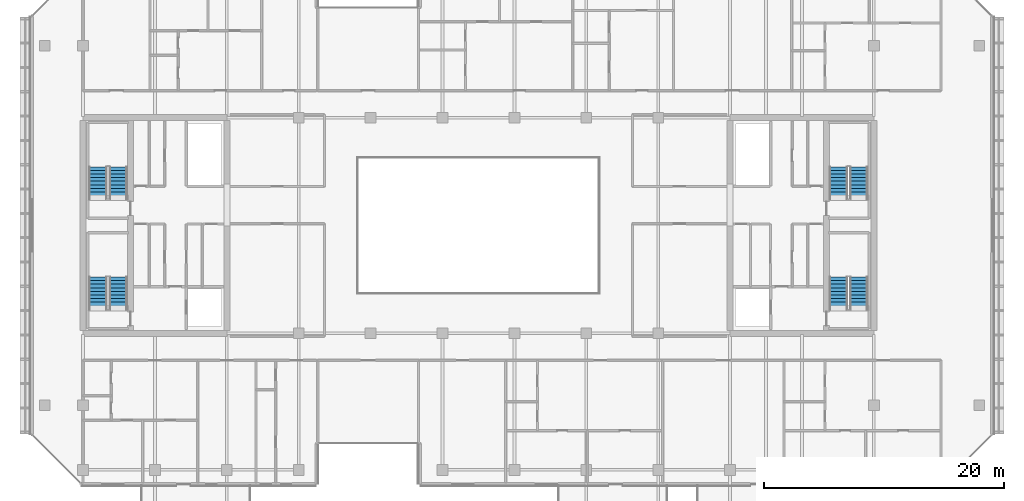
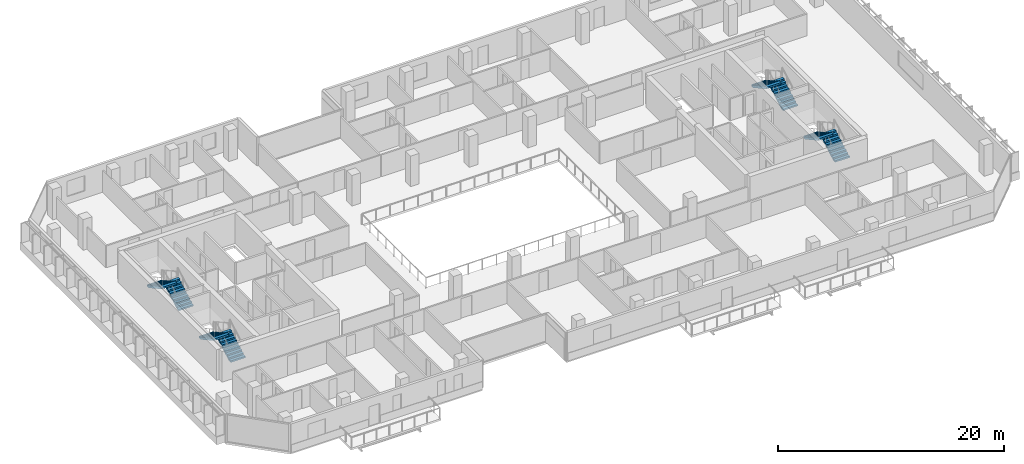
# One storey, part 25 of 29: 8 stair flights, 4 elements without a shape of their own.
"""IFC4 building model written with IfcOpenShell, lengths in metres."""

from ifc_helpers import new_model, si_unit, direction, frame, origin, place, context, subcontext, project, spatial, polyline, outline, extrude, material, type_object, element, aggregate, save


model = new_model("IFC4")

# Units and contexts
model_context = context("Model", 3, precision=1e-05, world=origin(), true_north=direction((0.0, 1.0)))
body_context = subcontext(model_context, "Body", "Model", "MODEL_VIEW")
ifc_project = project(units=[si_unit("LENGTHUNIT", "METRE"), si_unit("AREAUNIT", "SQUARE_METRE"), si_unit("VOLUMEUNIT", "CUBIC_METRE"), si_unit("PLANEANGLEUNIT", "RADIAN"), si_unit("MASSUNIT", "GRAM", prefix="KILO")], contexts=[model_context])

# Site, building, storey
site_placement = place(None, origin())
site = spatial("IfcSite", under=ifc_project, at=site_placement, CompositionType="ELEMENT")
building_placement = place(site_placement, origin())
building = spatial("IfcBuilding", under=site, at=building_placement, Name="Tanjung Sevakor Pilgrim Tower", CompositionType="ELEMENT")
storey_placement = place(building_placement, frame((0.0, 0.0, 148.5)))
storey = spatial("IfcBuildingStorey", under=building, at=storey_placement, Name="L41", CompositionType="ELEMENT", Elevation=148.5)

# Stair, stair flights
ifc_material_1 = material(Name="Concrete C40/50", Category="concrete")
stair_type = type_object("IfcStairType", Name="STAIR-ST-CR150", PredefinedType="HALF_TURN_STAIR", material=ifc_material_1)
stair_1_placement = place(storey_placement, origin())
stair_1 = element("IfcStair", 1, at=stair_1_placement, inside=storey, type_object=stair_type, Name="L41 West Core Exit Stair 1", PredefinedType="HALF_TURN_STAIR")
ifc_material_2 = material(Name="Concrete C40/50", Category="concrete")
stair_flight_type = type_object("IfcStairFlightType", Name="FLIGHT-ST-CR150", PredefinedType="STRAIGHT", material=ifc_material_2)
stair_flight_1_placement = place(storey_placement, frame((26.949951171875, 26.60009765625, 0.0), z_axis=(0.0, 0.0, 1.0), x_axis=(0.0, 1.0, 0.0)))
stair_flight_1 = element("IfcStairFlight", 2, at=stair_flight_1_placement, type_object=stair_flight_type, Name="TS-W1 flight 1", NumberOfRisers=10, NumberOfTreads=9, PredefinedType="STRAIGHT", RiserHeight=0.165, TreadLength=0.3, context=body_context, shape_type="SweptSolid", body=[
    extrude(outline(polyline([(0.0, 0.0), (0.0, 0.1650390625), (0.300048828125, 0.1650390625), (0.300048828125, 0.330078125), (0.60009765625, 0.330078125), (0.60009765625, 0.4951171875), (0.89990234375, 0.4951171875), (0.89990234375, 0.659912109375), (1.199951171875, 0.659912109375), (1.199951171875, 0.824951171875), (1.5, 0.824951171875), (1.5, 0.989990234375), (1.800048828125, 0.989990234375), (1.800048828125, 1.155029296875), (2.10009765625, 1.155029296875), (2.10009765625, 1.320068359375), (2.39990234375, 1.320068359375), (2.39990234375, 1.485107421875), (2.699951171875, 1.485107421875), (2.699951171875, 1.64990234375), (2.699951171875, 1.302490234375), (0.331787109375, 0.0), (0.0, 0.0)])), frame((0.0, 0.75, 0.0), z_axis=(0.0, -1.0, 0.0), x_axis=(1.0, 0.0, 0.0)), (0.0, 0.0, 1.0), 1.5),
])
stair_flight_2_placement = place(storey_placement, frame((25.25, 29.300048828125, 1.64990234375), z_axis=(0.0, 0.0, 1.0), x_axis=(0.0, -1.0, 0.0)))
stair_flight_2 = element("IfcStairFlight", 3, at=stair_flight_2_placement, type_object=stair_flight_type, Name="TS-W1 flight 2", NumberOfRisers=10, NumberOfTreads=9, PredefinedType="STRAIGHT", RiserHeight=0.165, TreadLength=0.3, context=body_context, shape_type="SweptSolid", body=[
    extrude(outline(polyline([(0.0, 0.0), (0.0, 0.1650390625), (0.300048828125, 0.1650390625), (0.300048828125, 0.330078125), (0.60009765625, 0.330078125), (0.60009765625, 0.4951171875), (0.89990234375, 0.4951171875), (0.89990234375, 0.659912109375), (1.199951171875, 0.659912109375), (1.199951171875, 0.824951171875), (1.5, 0.824951171875), (1.5, 0.989990234375), (1.800048828125, 0.989990234375), (1.800048828125, 1.155029296875), (2.10009765625, 1.155029296875), (2.10009765625, 1.320068359375), (2.39990234375, 1.320068359375), (2.39990234375, 1.485107421875), (2.699951171875, 1.485107421875), (2.699951171875, 1.64990234375), (2.699951171875, 1.302490234375), (0.331787109375, 0.0), (0.0, 0.0)])), frame((0.0, 0.75, 0.0), z_axis=(0.0, -1.0, 0.0), x_axis=(1.0, 0.0, 0.0)), (0.0, 0.0, 1.0), 1.5),
])
aggregate(stair_1, [stair_flight_1, stair_flight_2])

stair_2_placement = place(storey_placement, origin())
stair_2 = element("IfcStair", 4, at=stair_2_placement, inside=storey, type_object=stair_type, Name="L41 West Core Exit Stair 2", PredefinedType="HALF_TURN_STAIR")
stair_flight_3_placement = place(storey_placement, frame((26.949951171875, 35.800048828125, 0.0), z_axis=(0.0, 0.0, 1.0), x_axis=(0.0, 1.0, 0.0)))
stair_flight_3 = element("IfcStairFlight", 5, at=stair_flight_3_placement, type_object=stair_flight_type, Name="TS-W2 flight 1", NumberOfRisers=10, NumberOfTreads=9, PredefinedType="STRAIGHT", RiserHeight=0.165, TreadLength=0.3, context=body_context, shape_type="SweptSolid", body=[
    extrude(outline(polyline([(0.0, 0.0), (0.0, 0.1650390625), (0.300048828125, 0.1650390625), (0.300048828125, 0.330078125), (0.60009765625, 0.330078125), (0.60009765625, 0.4951171875), (0.89990234375, 0.4951171875), (0.89990234375, 0.659912109375), (1.199951171875, 0.659912109375), (1.199951171875, 0.824951171875), (1.5, 0.824951171875), (1.5, 0.989990234375), (1.800048828125, 0.989990234375), (1.800048828125, 1.155029296875), (2.10009765625, 1.155029296875), (2.10009765625, 1.320068359375), (2.39990234375, 1.320068359375), (2.39990234375, 1.485107421875), (2.699951171875, 1.485107421875), (2.699951171875, 1.64990234375), (2.699951171875, 1.302490234375), (0.331787109375, 0.0), (0.0, 0.0)])), frame((0.0, 0.75, 0.0), z_axis=(0.0, -1.0, 0.0), x_axis=(1.0, 0.0, 0.0)), (0.0, 0.0, 1.0), 1.5),
])
stair_flight_4_placement = place(storey_placement, frame((25.25, 38.5, 1.64990234375), z_axis=(0.0, 0.0, 1.0), x_axis=(0.0, -1.0, 0.0)))
stair_flight_4 = element("IfcStairFlight", 6, at=stair_flight_4_placement, type_object=stair_flight_type, Name="TS-W2 flight 2", NumberOfRisers=10, NumberOfTreads=9, PredefinedType="STRAIGHT", RiserHeight=0.165, TreadLength=0.3, context=body_context, shape_type="SweptSolid", body=[
    extrude(outline(polyline([(0.0, 0.0), (0.0, 0.1650390625), (0.300048828125, 0.1650390625), (0.300048828125, 0.330078125), (0.60009765625, 0.330078125), (0.60009765625, 0.4951171875), (0.89990234375, 0.4951171875), (0.89990234375, 0.659912109375), (1.199951171875, 0.659912109375), (1.199951171875, 0.824951171875), (1.5, 0.824951171875), (1.5, 0.989990234375), (1.800048828125, 0.989990234375), (1.800048828125, 1.155029296875), (2.10009765625, 1.155029296875), (2.10009765625, 1.320068359375), (2.39990234375, 1.320068359375), (2.39990234375, 1.485107421875), (2.699951171875, 1.485107421875), (2.699951171875, 1.64990234375), (2.699951171875, 1.302490234375), (0.331787109375, 0.0), (0.0, 0.0)])), frame((0.0, 0.75, 0.0), z_axis=(0.0, -1.0, 0.0), x_axis=(1.0, 0.0, 0.0)), (0.0, 0.0, 1.0), 1.5),
])
aggregate(stair_2, [stair_flight_3, stair_flight_4])

stair_3_placement = place(storey_placement, origin())
stair_3 = element("IfcStair", 7, at=stair_3_placement, inside=storey, type_object=stair_type, Name="L41 East Core Exit Stair 1", PredefinedType="HALF_TURN_STAIR")
stair_flight_5_placement = place(storey_placement, frame((88.75, 26.60009765625, 0.0), z_axis=(0.0, 0.0, 1.0), x_axis=(0.0, 1.0, 0.0)))
stair_flight_5 = element("IfcStairFlight", 8, at=stair_flight_5_placement, type_object=stair_flight_type, Name="TS-E1 flight 1", NumberOfRisers=10, NumberOfTreads=9, PredefinedType="STRAIGHT", RiserHeight=0.165, TreadLength=0.3, context=body_context, shape_type="SweptSolid", body=[
    extrude(outline(polyline([(0.0, 0.0), (0.0, 0.1650390625), (0.300048828125, 0.1650390625), (0.300048828125, 0.330078125), (0.60009765625, 0.330078125), (0.60009765625, 0.4951171875), (0.89990234375, 0.4951171875), (0.89990234375, 0.659912109375), (1.199951171875, 0.659912109375), (1.199951171875, 0.824951171875), (1.5, 0.824951171875), (1.5, 0.989990234375), (1.800048828125, 0.989990234375), (1.800048828125, 1.155029296875), (2.10009765625, 1.155029296875), (2.10009765625, 1.320068359375), (2.39990234375, 1.320068359375), (2.39990234375, 1.485107421875), (2.699951171875, 1.485107421875), (2.699951171875, 1.64990234375), (2.699951171875, 1.302490234375), (0.331787109375, 0.0), (0.0, 0.0)])), frame((0.0, 0.75, 0.0), z_axis=(0.0, -1.0, 0.0), x_axis=(1.0, 0.0, 0.0)), (0.0, 0.0, 1.0), 1.5),
])
stair_flight_6_placement = place(storey_placement, frame((87.050048828125, 29.300048828125, 1.64990234375), z_axis=(0.0, 0.0, 1.0), x_axis=(0.0, -1.0, 0.0)))
stair_flight_6 = element("IfcStairFlight", 9, at=stair_flight_6_placement, type_object=stair_flight_type, Name="TS-E1 flight 2", NumberOfRisers=10, NumberOfTreads=9, PredefinedType="STRAIGHT", RiserHeight=0.165, TreadLength=0.3, context=body_context, shape_type="SweptSolid", body=[
    extrude(outline(polyline([(0.0, 0.0), (0.0, 0.1650390625), (0.300048828125, 0.1650390625), (0.300048828125, 0.330078125), (0.60009765625, 0.330078125), (0.60009765625, 0.4951171875), (0.89990234375, 0.4951171875), (0.89990234375, 0.659912109375), (1.199951171875, 0.659912109375), (1.199951171875, 0.824951171875), (1.5, 0.824951171875), (1.5, 0.989990234375), (1.800048828125, 0.989990234375), (1.800048828125, 1.155029296875), (2.10009765625, 1.155029296875), (2.10009765625, 1.320068359375), (2.39990234375, 1.320068359375), (2.39990234375, 1.485107421875), (2.699951171875, 1.485107421875), (2.699951171875, 1.64990234375), (2.699951171875, 1.302490234375), (0.331787109375, 0.0), (0.0, 0.0)])), frame((0.0, 0.75, 0.0), z_axis=(0.0, -1.0, 0.0), x_axis=(1.0, 0.0, 0.0)), (0.0, 0.0, 1.0), 1.5),
])
aggregate(stair_3, [stair_flight_5, stair_flight_6])

stair_4_placement = place(storey_placement, origin())
stair_4 = element("IfcStair", 10, at=stair_4_placement, inside=storey, type_object=stair_type, Name="L41 East Core Exit Stair 2", PredefinedType="HALF_TURN_STAIR")
stair_flight_7_placement = place(storey_placement, frame((88.75, 35.800048828125, 0.0), z_axis=(0.0, 0.0, 1.0), x_axis=(0.0, 1.0, 0.0)))
stair_flight_7 = element("IfcStairFlight", 11, at=stair_flight_7_placement, type_object=stair_flight_type, Name="TS-E2 flight 1", NumberOfRisers=10, NumberOfTreads=9, PredefinedType="STRAIGHT", RiserHeight=0.165, TreadLength=0.3, context=body_context, shape_type="SweptSolid", body=[
    extrude(outline(polyline([(0.0, 0.0), (0.0, 0.1650390625), (0.300048828125, 0.1650390625), (0.300048828125, 0.330078125), (0.60009765625, 0.330078125), (0.60009765625, 0.4951171875), (0.89990234375, 0.4951171875), (0.89990234375, 0.659912109375), (1.199951171875, 0.659912109375), (1.199951171875, 0.824951171875), (1.5, 0.824951171875), (1.5, 0.989990234375), (1.800048828125, 0.989990234375), (1.800048828125, 1.155029296875), (2.10009765625, 1.155029296875), (2.10009765625, 1.320068359375), (2.39990234375, 1.320068359375), (2.39990234375, 1.485107421875), (2.699951171875, 1.485107421875), (2.699951171875, 1.64990234375), (2.699951171875, 1.302490234375), (0.331787109375, 0.0), (0.0, 0.0)])), frame((0.0, 0.75, 0.0), z_axis=(0.0, -1.0, 0.0), x_axis=(1.0, 0.0, 0.0)), (0.0, 0.0, 1.0), 1.5),
])
stair_flight_8_placement = place(storey_placement, frame((87.050048828125, 38.5, 1.64990234375), z_axis=(0.0, 0.0, 1.0), x_axis=(0.0, -1.0, 0.0)))
stair_flight_8 = element("IfcStairFlight", 12, at=stair_flight_8_placement, type_object=stair_flight_type, Name="TS-E2 flight 2", NumberOfRisers=10, NumberOfTreads=9, PredefinedType="STRAIGHT", RiserHeight=0.165, TreadLength=0.3, context=body_context, shape_type="SweptSolid", body=[
    extrude(outline(polyline([(0.0, 0.0), (0.0, 0.1650390625), (0.300048828125, 0.1650390625), (0.300048828125, 0.330078125), (0.60009765625, 0.330078125), (0.60009765625, 0.4951171875), (0.89990234375, 0.4951171875), (0.89990234375, 0.659912109375), (1.199951171875, 0.659912109375), (1.199951171875, 0.824951171875), (1.5, 0.824951171875), (1.5, 0.989990234375), (1.800048828125, 0.989990234375), (1.800048828125, 1.155029296875), (2.10009765625, 1.155029296875), (2.10009765625, 1.320068359375), (2.39990234375, 1.320068359375), (2.39990234375, 1.485107421875), (2.699951171875, 1.485107421875), (2.699951171875, 1.64990234375), (2.699951171875, 1.302490234375), (0.331787109375, 0.0), (0.0, 0.0)])), frame((0.0, 0.75, 0.0), z_axis=(0.0, -1.0, 0.0), x_axis=(1.0, 0.0, 0.0)), (0.0, 0.0, 1.0), 1.5),
])
aggregate(stair_4, [stair_flight_7, stair_flight_8])

save(model, "model.ifc")
